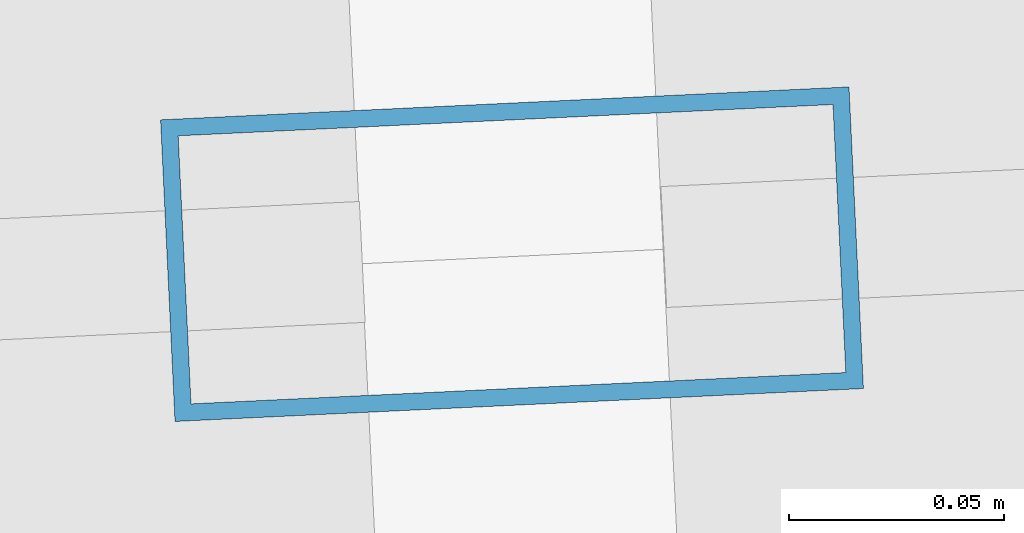
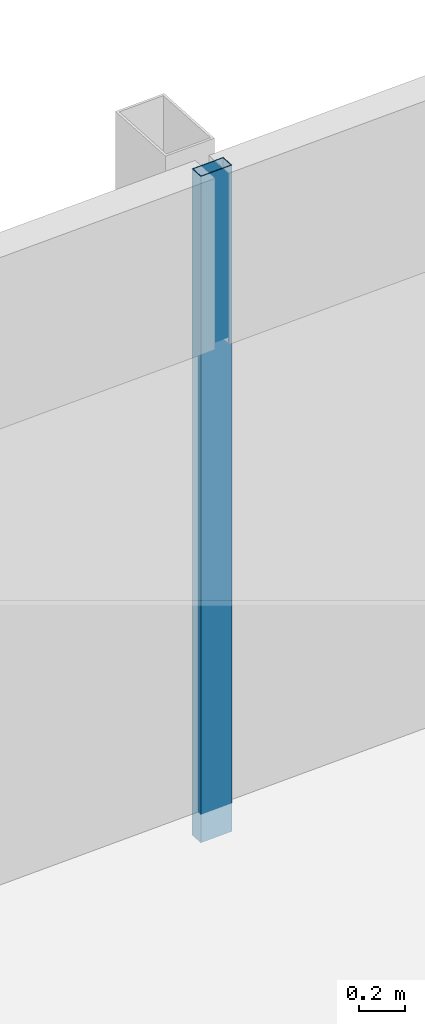
# One storey, part 21 of 39: 1 member, 1 element without a shape of its own.
"""IFC4 building model written with IfcOpenShell, lengths in metres."""

from ifc_helpers import new_model, si_unit, direction, frame, origin, origin_2d, place, context, subcontext, project, spatial, hollow_rectangle, extrude, material, material_profile, profile_set, type_object, element, aggregate, save


model = new_model("IFC4")

# Units and contexts
model_context = context("Model", 3, precision=1e-05, world=origin(), true_north=direction((0.0, 1.0)))
body_context = subcontext(model_context, "Body", "Model", "MODEL_VIEW")
ifc_project = project(units=[si_unit("LENGTHUNIT", "METRE"), si_unit("AREAUNIT", "SQUARE_METRE"), si_unit("VOLUMEUNIT", "CUBIC_METRE"), si_unit("PLANEANGLEUNIT", "RADIAN"), si_unit("MASSUNIT", "GRAM", prefix="KILO")], contexts=[model_context])

# Site, building, storey
site_placement = place(None, origin())
site = spatial("IfcSite", under=ifc_project, at=site_placement, CompositionType="ELEMENT")
building_placement = place(site_placement, origin())
building = spatial("IfcBuilding", under=site, at=building_placement, Name="Rekha Terrace Tower", CompositionType="ELEMENT")
storey_placement = place(building_placement, frame((0.0, 0.0, 187.699951171875)))
storey = spatial("IfcBuildingStorey", under=building, at=storey_placement, Name="L47", CompositionType="ELEMENT", Elevation=187.699951171875)

# Curtain wall, member
ifc_material_1 = material(Name="Aluminium framing", Category="aluminium")
curtain_wall_type = type_object("IfcCurtainWallType", Name="CW3 north unitised glazing", PredefinedType="USERDEFINED", material=ifc_material_1)
curtain_wall_placement = place(storey_placement, origin())
curtain_wall = element("IfcCurtainWall", 1, at=curtain_wall_placement, inside=storey, type_object=curtain_wall_type, Name="CW3 unitised curtain wall", ObjectType="UNITISED CURTAIN WALL", PredefinedType="USERDEFINED")
ifc_material_2 = material(Name="Aluminium mullion section", Category="aluminium")
ifc_material_profile = material_profile(ifc_material_2, hollow_rectangle(XDim=0.070068359375, YDim=0.159912109375, WallThickness=0.00390625, at=origin_2d()), Name="AL RHS 70x160")
ifc_profile_set = profile_set([ifc_material_profile], Name="Aluminium mullion section")
member_type = type_object("IfcMemberType", Name="CW3 mullion RHS 70 x 160", PredefinedType="MULLION", material=ifc_profile_set)
member_placement = place(storey_placement, frame((38.570068359375, 61.771240234375, 0.0), z_axis=(0.0, 0.0, 1.0), x_axis=(0.047758616983, -0.998858906204, 0.0)))
member = element("IfcMember", 2, at=member_placement, type_object=member_type, Name="CW3 mullion 2", PredefinedType="MULLION", context=body_context, shape_type="SweptSolid", body=[
    extrude(hollow_rectangle(XDim=0.070068359375, YDim=0.159912109375, WallThickness=0.00390625, at=origin_2d()), origin(), (0.0, 0.0, 1.0), 3.5),
])
aggregate(curtain_wall, [member])

save(model, "model.ifc")
